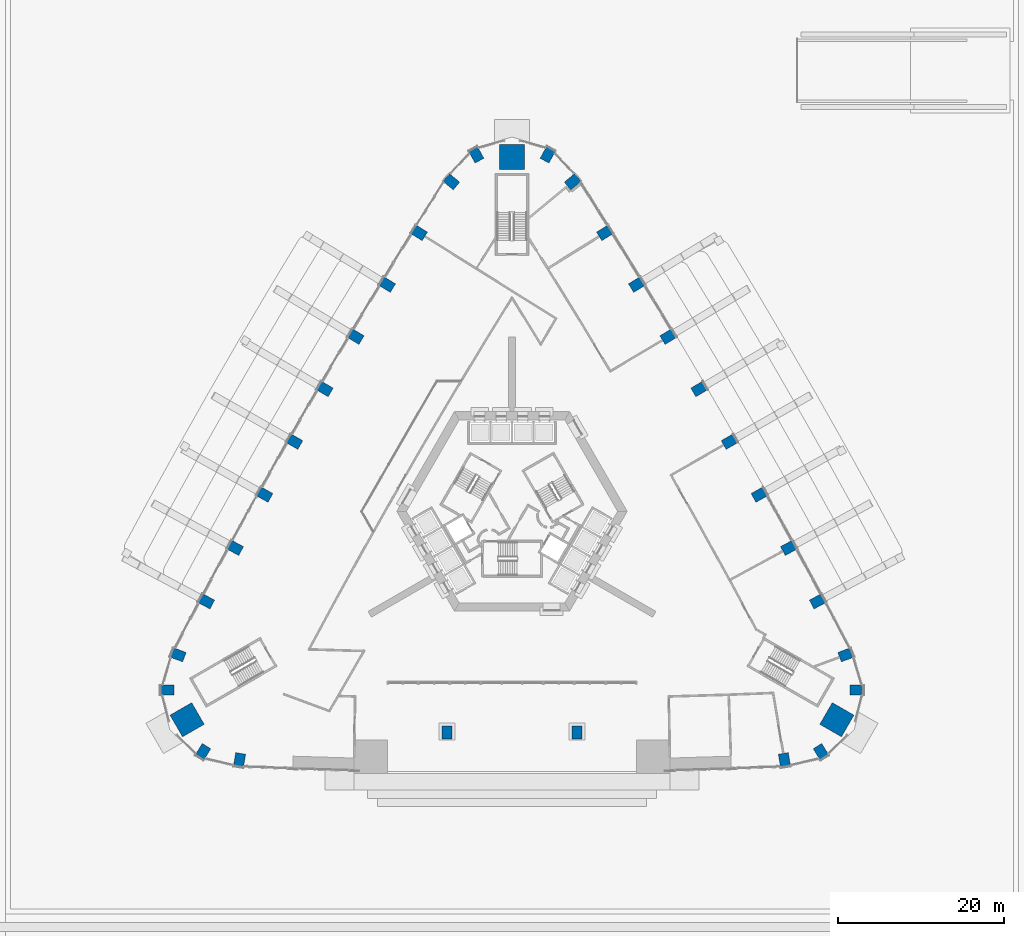
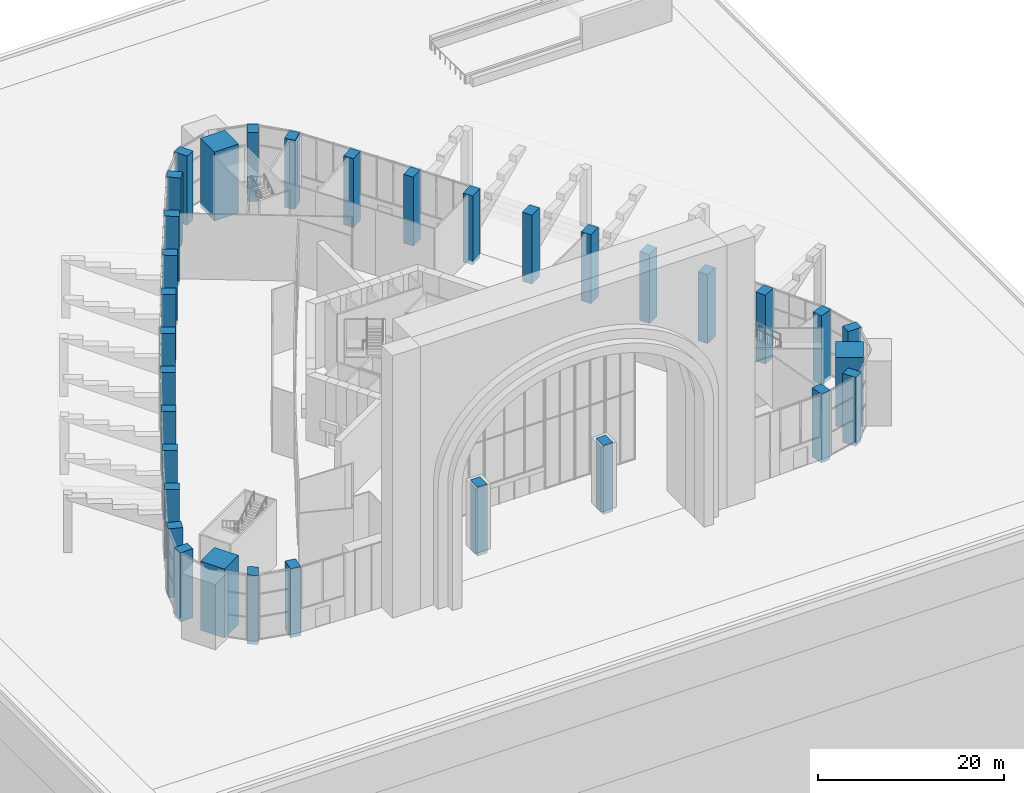
# One storey, part 1 of 36: 33 columns.
"""IFC4 building model written with IfcOpenShell, lengths in metres."""

from ifc_helpers import new_model, si_unit, direction, frame, origin, origin_2d, place, context, subcontext, project, spatial, rectangle, extrude, material, material_profile, profile_set, type_object, element, save


model = new_model("IFC4")

# Units and contexts
model_context = context("Model", 3, precision=1e-05, world=origin(), true_north=direction((0.0, 1.0)))
body_context = subcontext(model_context, "Body", "Model", "MODEL_VIEW")
ifc_project = project(units=[si_unit("LENGTHUNIT", "METRE"), si_unit("AREAUNIT", "SQUARE_METRE"), si_unit("VOLUMEUNIT", "CUBIC_METRE"), si_unit("PLANEANGLEUNIT", "RADIAN"), si_unit("MASSUNIT", "GRAM", prefix="KILO")], contexts=[model_context])

# Site, building, storey
site_placement = place(None, origin())
site = spatial("IfcSite", under=ifc_project, at=site_placement, CompositionType="ELEMENT")
building_placement = place(site_placement, origin())
building = spatial("IfcBuilding", under=site, at=building_placement, Name="Entoto Arch Interchange Tower", CompositionType="ELEMENT")
storey_placement = place(building_placement, origin())
storey = spatial("IfcBuildingStorey", under=building, at=storey_placement, Name="L00", CompositionType="ELEMENT", Elevation=0.0)

# Columns
ifc_material = material(Name="Concrete C60/75", Category="concrete")
ifc_material_profile_1 = material_profile(ifc_material, rectangle(XDim=1.199951171875, YDim=1.60009765625, at=origin_2d()))
ifc_profile_set_1 = profile_set([ifc_material_profile_1], Name="Concrete C60/75")
column_type_1 = type_object("IfcColumnType", Name="Column RC 1200x1600 C60/75", PredefinedType="COLUMN", material=ifc_profile_set_1)
for number, where, z_axis, x_axis, name in (
    (1, (-32.760986328125, -27.39697265625, -0.5), (0.0, 0.0, 1.0), (-0.98600476771, 0.166717119856, 0.0), "Column S01 L00"),
    (2, (32.760986328125, -27.39697265625, -0.5), (0.0, 0.0, 1.0), (0.98600476771, 0.166717119856, 0.0), "Column S06 L00"),
    (3, (37.152099609375, -26.410888671875, -0.5), (0.0, 0.0, 1.0), (0.854522294989, 0.519414716163, 0.0), "Column SE1 L00"),
    (4, (41.447998046875, -18.968994140625, -0.5), (0.0, 0.0, 1.0), (0.022565191802, 0.999745373642, 0.0), "Column SE3 L00"),
    (5, (40.14697265625, -14.7509765625, -0.5), (0.0, 0.0, 1.0), (-0.348277574304, 0.937391450375, 0.0), "Column NE01 L00"),
    (6, (36.7529296875, -8.324951171875, -0.5), (0.0, 0.0, 1.0), (-0.46931745221, 0.883029517656, 0.0), "Column NE02 L00"),
    (7, (33.282958984375, -1.888916015625, -0.5), (0.0, 0.0, 1.0), (-0.478140110514, 0.878283573066, 0.0), "Column NE03 L00"),
    (8, (29.75, 4.511962890625, -0.5), (0.0, 0.0, 1.0), (-0.486914781103, 0.873449481048, 0.0), "Column NE04 L00"),
    (9, (26.155029296875, 10.8798828125, -0.5), (0.0, 0.0, 1.0), (-0.495655741916, 0.868519076074, 0.0), "Column NE05 L00"),
    (10, (22.5, 17.2109375, -0.5), (0.0, 0.0, 1.0), (-0.504331712594, 0.863510002068, 0.0), "Column NE06 L00"),
    (11, (18.781982421875, 23.508056640625, -0.5), (0.0, 0.0, 1.0), (-0.512972048958, 0.858405310438, 0.0), "Column NE07 L00"),
    (12, (15.0048828125, 29.76904296875, -0.5), (0.0, 0.0, 1.0), (-0.521545830745, 0.853223268806, 0.0), "Column NE08 L00"),
    (13, (11.1669921875, 35.992919921875, -0.5), (0.0, 0.0, 1.0), (-0.530067268476, 0.847955594881, 0.0), "Column NE09 L00"),
    (14, (7.299072265625, 42.14404296875, -0.5), (0.0, 0.0, 1.0), (-0.637666022163, 0.770312952103, 0.0), "Column NE10 L00"),
    (15, (4.297119140625, 45.3798828125, -0.5), (0.0, 0.0, 1.0), (-0.877079103306, 0.48034596547, 0.0), "Column N1 L00"),
    (16, (-4.297119140625, 45.3798828125, -0.5), (0.0, 0.0, 1.0), (0.877079103306, 0.48034596547, 0.0), "Column N3 L00"),
    (17, (-7.299072265625, 42.14404296875, -0.5), (0.0, 0.0, 1.0), (0.637666022163, 0.770312952103, 0.0), "Column NW01 L00"),
    (18, (-11.1669921875, 35.992919921875, -0.5), (0.0, 0.0, 1.0), (0.530067268476, 0.847955594881, 0.0), "Column NW02 L00"),
    (19, (-15.0048828125, 29.76904296875, -0.5), (0.0, 0.0, 1.0), (0.521545830745, 0.853223268806, 0.0), "Column NW03 L00"),
    (20, (-18.781982421875, 23.508056640625, -0.5), (0.0, 0.0, 1.0), (0.512972048958, 0.858405310438, 0.0), "Column NW04 L00"),
    (21, (-22.5, 17.2109375, -0.5), (0.0, 0.0, 1.0), (0.504331712594, 0.863510002068, 0.0), "Column NW05 L00"),
    (22, (-26.155029296875, 10.8798828125, -0.5), (0.0, 0.0, 1.0), (0.495655741916, 0.868519076074, 0.0), "Column NW06 L00"),
    (23, (-29.75, 4.511962890625, -0.5), (0.0, 0.0, 1.0), (0.486914781103, 0.873449481048, 0.0), "Column NW07 L00"),
    (24, (-33.282958984375, -1.888916015625, -0.5), (0.0, 0.0, 1.0), (0.478140110514, 0.878283573066, 0.0), "Column NW08 L00"),
    (25, (-36.7529296875, -8.324951171875, -0.5), (0.0, 0.0, 1.0), (0.46931745221, 0.883029517656, 0.0), "Column NW09 L00"),
    (26, (-40.14697265625, -14.7509765625, -0.5), (0.0, 0.0, 1.0), (0.348277574304, 0.937391450375, 0.0), "Column NW10 L00"),
    (27, (-41.447998046875, -18.968994140625, -0.5), (0.0, 0.0, 1.0), (-0.022565191802, 0.999745373642, 0.0), "Column SW1 L00"),
    (28, (-37.152099609375, -26.410888671875, -0.5), (0.0, 0.0, 1.0), (-0.854522294989, 0.519414716163, 0.0), "Column SW3 L00"),
    (29, (-7.800048828125, -24.10009765625, -0.5), (0.0, 0.0, 1.0), (1.0, 0.0, 0.0), "Column ARC-W L00"),
    (30, (7.800048828125, -24.10009765625, -0.5), (0.0, 0.0, 1.0), (1.0, 0.0, 0.0), "Column ARC-E L00"),
):
    element("IfcColumn", number, at=place(storey_placement, frame(where, z_axis=z_axis, x_axis=x_axis)), inside=storey, type_object=column_type_1, Name=name, PredefinedType="COLUMN", context=body_context, shape_type="SweptSolid", body=[
        extrude(rectangle(XDim=1.199951171875, YDim=1.60009765625, at=origin_2d()), origin(), (0.0, 0.0, 1.0), 9.050048828125),
    ])
ifc_material_profile_2 = material_profile(ifc_material, rectangle(XDim=3.0, YDim=3.0, at=origin_2d()))
ifc_profile_set_2 = profile_set([ifc_material_profile_2], Name="Concrete C60/75")
column_type_2 = type_object("IfcColumnType", Name="Mega column RC 3000x3000 C60/75", PredefinedType="COLUMN", material=ifc_profile_set_2)
for number, where, z_axis, x_axis, name in (
    (31, (39.069091796875, -22.555908203125, -0.5), (0.0, 0.0, 1.0), (-0.866025403784, 0.5, 0.0), "Corner mega column SE2 L00"),
    (32, (0.0, 45.112060546875, -0.5), (0.0, 0.0, 1.0), (0.0, 1.0, 0.0), "Corner mega column N2 L00"),
    (33, (-39.069091796875, -22.555908203125, -0.5), (0.0, 0.0, 1.0), (0.866025403784, 0.5, 0.0), "Corner mega column SW2 L00"),
):
    element("IfcColumn", number, at=place(storey_placement, frame(where, z_axis=z_axis, x_axis=x_axis)), inside=storey, type_object=column_type_2, Name=name, PredefinedType="COLUMN", context=body_context, shape_type="SweptSolid", body=[
        extrude(rectangle(XDim=3.0, YDim=3.0, at=origin_2d()), origin(), (0.0, 0.0, 1.0), 9.050048828125),
    ])

save(model, "model.ifc")
